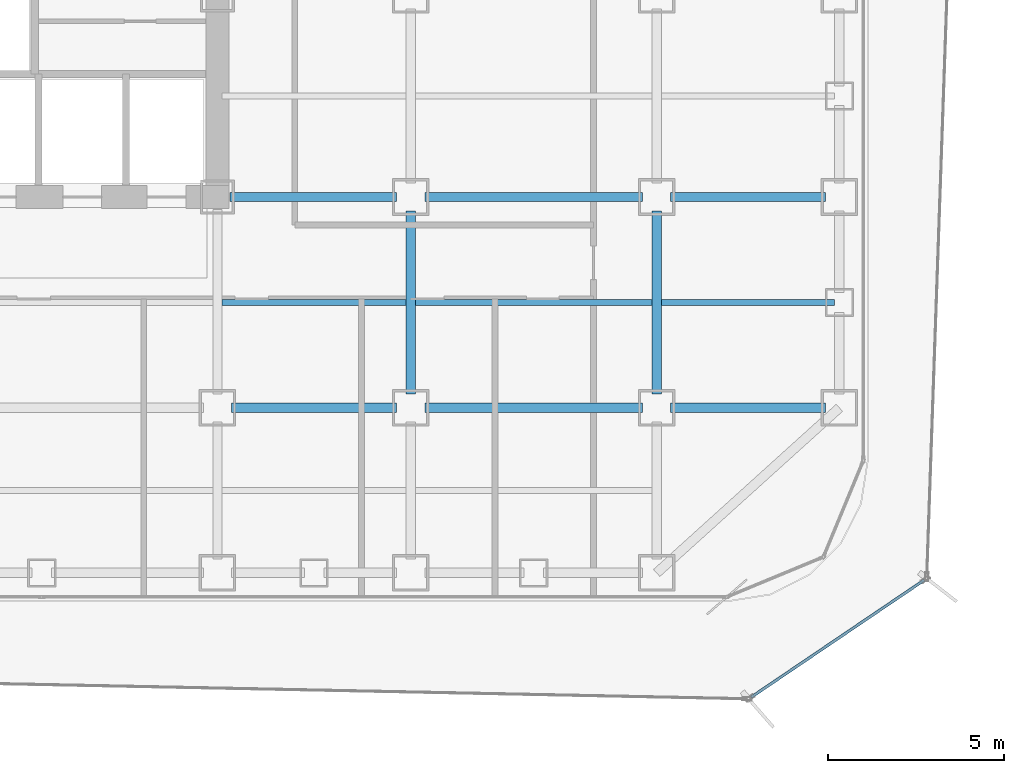
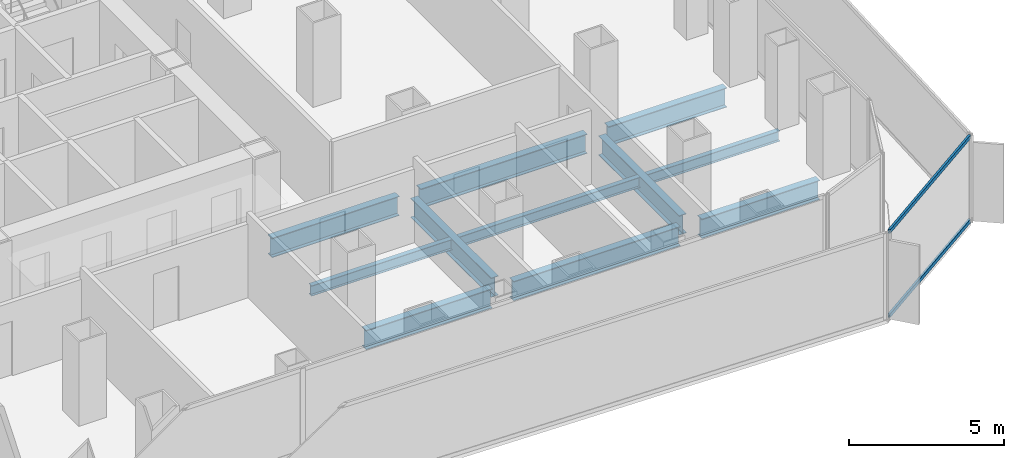
# One storey, part 7 of 22: 11 beams, 2 members, 1 element without a shape of its own.
"""IFC4 building model written with IfcOpenShell, lengths in metres."""

from ifc_helpers import new_model, si_unit, direction, frame, origin, origin_2d, place, context, subcontext, project, spatial, hollow_rectangle, i_section, extrude, source, transform, mapped, material, layer, layer_set, material_profile, profile_set, type_object, element, aggregate, save


model = new_model("IFC4")

# Units and contexts
model_context = context("Model", 3, precision=1e-05, world=origin(), true_north=direction((0.0, 1.0)))
body_context = subcontext(model_context, "Body", "Model", "MODEL_VIEW")
ifc_project = project(units=[si_unit("LENGTHUNIT", "METRE"), si_unit("AREAUNIT", "SQUARE_METRE"), si_unit("VOLUMEUNIT", "CUBIC_METRE"), si_unit("PLANEANGLEUNIT", "RADIAN"), si_unit("MASSUNIT", "GRAM", prefix="KILO")], contexts=[model_context])

# Site, building, storey
site_placement = place(None, origin())
site = spatial("IfcSite", under=ifc_project, at=site_placement, CompositionType="ELEMENT")
building_placement = place(site_placement, origin())
building = spatial("IfcBuilding", under=site, at=building_placement, Name="Kolveth Station Tower", CompositionType="ELEMENT")
storey_placement = place(building_placement, frame((0.0, 0.0, 65.699951171875)))
storey = spatial("IfcBuildingStorey", under=building, at=storey_placement, Name="L17", CompositionType="ELEMENT", Elevation=65.699951171875)

# Beams
ifc_material_1 = material(Name="Steel S355", Category="steel")
ifc_material_profile_1 = material_profile(ifc_material_1, i_section(OverallWidth=0.26708984375, OverallDepth=0.76611328125, WebThickness=0.014892578125, FlangeThickness=0.023681640625, at=origin_2d()), Name="W760x185")
ifc_profile_set_1 = profile_set([ifc_material_profile_1], Name="Steel S355")
beam_type_1 = type_object("IfcBeamType", Name="Beam_B3", PredefinedType="BEAM", material=ifc_profile_set_1)
shared_shape_1 = source(origin(), body_context, "Body", "SweptSolid", [
    extrude(i_section(OverallWidth=0.26708984375, OverallDepth=0.76611328125, WebThickness=0.014892578125, FlangeThickness=0.023681640625, at=origin_2d()), origin(), (0.0, 0.0, 1.0), 4.400146484375),
])
for number, where, z_axis, x_axis, name in (
    (1, (41.39990234375, 5.5, -0.662841796875), (1.0, 0.0, 0.0), (0.0, 1.0, 0.0), "L17 Primary Girder BM-L17-GY55-7"),
    (2, (41.39990234375, 11.5, -0.662841796875), (1.0, 0.0, 0.0), (0.0, 1.0, 0.0), "L17 Primary Girder BM-L17-GY115-7"),
):
    element("IfcBeam", number, at=place(storey_placement, frame(where, z_axis=z_axis, x_axis=x_axis)), inside=storey, type_object=beam_type_1, Name=name, PredefinedType="BEAM", context=body_context, shape_type="MappedRepresentation", body=[
        mapped(shared_shape_1, transform((0.0, 0.0, 0.0), x_axis=(1.0, 0.0, 0.0), y_axis=(0.0, 1.0, 0.0), z_axis=(0.0, 0.0, 1.0), scale=1.0)),
    ])
shared_shape_2 = source(origin(), body_context, "Body", "SweptSolid", [
    extrude(i_section(OverallWidth=0.26708984375, OverallDepth=0.76611328125, WebThickness=0.014892578125, FlangeThickness=0.023681640625, at=origin_2d()), origin(), (0.0, 0.0, 1.0), 6.2001953125),
])
for number, where, z_axis, x_axis, name in (
    (3, (34.39990234375, 5.5, -0.662841796875), (1.0, 0.0, 0.0), (0.0, 1.0, 0.0), "L17 Primary Girder BM-L17-GY55-6"),
    (4, (34.39990234375, 11.5, -0.662841796875), (1.0, 0.0, 0.0), (0.0, 1.0, 0.0), "L17 Primary Girder BM-L17-GY115-6"),
):
    element("IfcBeam", number, at=place(storey_placement, frame(where, z_axis=z_axis, x_axis=x_axis)), inside=storey, type_object=beam_type_1, Name=name, PredefinedType="BEAM", context=body_context, shape_type="MappedRepresentation", body=[
        mapped(shared_shape_2, transform((0.0, 0.0, 0.0), x_axis=(1.0, 0.0, 0.0), y_axis=(0.0, 1.0, 0.0), z_axis=(0.0, 0.0, 1.0), scale=1.0)),
    ])
shared_shape_3 = source(origin(), body_context, "Body", "SweptSolid", [
    extrude(i_section(OverallWidth=0.26708984375, OverallDepth=0.76611328125, WebThickness=0.014892578125, FlangeThickness=0.023681640625, at=origin_2d()), origin(), (0.0, 0.0, 1.0), 4.7001953125),
])
beam_1_placement = place(storey_placement, frame((28.89990234375, 5.5, -0.662841796875), z_axis=(1.0, 0.0, 0.0), x_axis=(0.0, 1.0, 0.0)))
element("IfcBeam", 5, at=beam_1_placement, inside=storey, type_object=beam_type_1, Name="L17 Primary Girder BM-L17-GY55-5", PredefinedType="BEAM", context=body_context, shape_type="MappedRepresentation", body=[
    mapped(shared_shape_3, transform((0.0, 0.0, 0.0), x_axis=(1.0, 0.0, 0.0), y_axis=(0.0, 1.0, 0.0), z_axis=(0.0, 0.0, 1.0), scale=1.0)),
])
shared_shape_4 = source(origin(), body_context, "Body", "SweptSolid", [
    extrude(i_section(OverallWidth=0.26708984375, OverallDepth=0.76611328125, WebThickness=0.014892578125, FlangeThickness=0.023681640625, at=origin_2d()), origin(), (0.0, 0.0, 1.0), 4.739990234375),
])
beam_2_placement = place(storey_placement, frame((28.860107421875, 11.5, -0.662841796875), z_axis=(1.0, 0.0, 0.0), x_axis=(0.0, 1.0, 0.0)))
element("IfcBeam", 6, at=beam_2_placement, inside=storey, type_object=beam_type_1, Name="L17 Primary Girder BM-L17-GY115-5", PredefinedType="BEAM", context=body_context, shape_type="MappedRepresentation", body=[
    mapped(shared_shape_4, transform((0.0, 0.0, 0.0), x_axis=(1.0, 0.0, 0.0), y_axis=(0.0, 1.0, 0.0), z_axis=(0.0, 0.0, 1.0), scale=1.0)),
])
shared_shape_5 = source(origin(), body_context, "Body", "SweptSolid", [
    extrude(i_section(OverallWidth=0.26708984375, OverallDepth=0.76611328125, WebThickness=0.014892578125, FlangeThickness=0.023681640625, at=origin_2d()), origin(), (0.0, 0.0, 1.0), 5.2001953125),
])
for number, where, z_axis, x_axis, name in (
    (7, (34.0, 5.89990234375, -0.662841796875), (0.0, 1.0, 0.0), (-1.0, 0.0, 0.0), "L17 Primary Girder BM-L17-GX340-2"),
    (8, (41.0, 5.89990234375, -0.662841796875), (0.0, 1.0, 0.0), (-1.0, 0.0, 0.0), "L17 Primary Girder BM-L17-GX410-2"),
):
    element("IfcBeam", number, at=place(storey_placement, frame(where, z_axis=z_axis, x_axis=x_axis)), inside=storey, type_object=beam_type_1, Name=name, PredefinedType="BEAM", context=body_context, shape_type="MappedRepresentation", body=[
        mapped(shared_shape_5, transform((0.0, 0.0, 0.0), x_axis=(1.0, 0.0, 0.0), y_axis=(0.0, 1.0, 0.0), z_axis=(0.0, 0.0, 1.0), scale=1.0)),
    ])
ifc_material_profile_2 = material_profile(ifc_material_1, i_section(OverallWidth=0.177978515625, OverallDepth=0.406982421875, WebThickness=0.0078125, FlangeThickness=0.0126953125, at=origin_2d()), Name="W410x60")
ifc_profile_set_2 = profile_set([ifc_material_profile_2], Name="Steel S355")
beam_type_2 = type_object("IfcBeamType", Name="Beam_J1", PredefinedType="JOIST", material=ifc_profile_set_2)
shared_shape_6 = source(origin(), body_context, "Body", "SweptSolid", [
    extrude(i_section(OverallWidth=0.177978515625, OverallDepth=0.406982421875, WebThickness=0.0078125, FlangeThickness=0.0126953125, at=origin_2d()), origin(), (0.0, 0.0, 1.0), 4.935791015625),
])
beam_3_placement = place(storey_placement, frame((41.131591796875, 8.5, -0.4833984375), z_axis=(1.0, 0.0, 0.0), x_axis=(0.0, 1.0, 0.0)))
element("IfcBeam", 9, at=beam_3_placement, inside=storey, type_object=beam_type_2, Name="L17 Secondary Joist JST-L17-7-2", PredefinedType="JOIST", context=body_context, shape_type="MappedRepresentation", body=[
    mapped(shared_shape_6, transform((0.0, 0.0, 0.0), x_axis=(1.0, 0.0, 0.0), y_axis=(0.0, 1.0, 0.0), z_axis=(0.0, 0.0, 1.0), scale=1.0)),
])
shared_shape_7 = source(origin(), body_context, "Body", "SweptSolid", [
    extrude(i_section(OverallWidth=0.177978515625, OverallDepth=0.406982421875, WebThickness=0.0078125, FlangeThickness=0.0126953125, at=origin_2d()), origin(), (0.0, 0.0, 1.0), 6.73681640625),
])
beam_4_placement = place(storey_placement, frame((34.131591796875, 8.5, -0.4833984375), z_axis=(1.0, 0.0, 0.0), x_axis=(0.0, 1.0, 0.0)))
element("IfcBeam", 10, at=beam_4_placement, inside=storey, type_object=beam_type_2, Name="L17 Secondary Joist JST-L17-6-2", PredefinedType="JOIST", context=body_context, shape_type="MappedRepresentation", body=[
    mapped(shared_shape_7, transform((0.0, 0.0, 0.0), x_axis=(1.0, 0.0, 0.0), y_axis=(0.0, 1.0, 0.0), z_axis=(0.0, 0.0, 1.0), scale=1.0)),
])
shared_shape_8 = source(origin(), body_context, "Body", "SweptSolid", [
    extrude(i_section(OverallWidth=0.177978515625, OverallDepth=0.406982421875, WebThickness=0.0078125, FlangeThickness=0.0126953125, at=origin_2d()), origin(), (0.0, 0.0, 1.0), 5.23681640625),
])
beam_5_placement = place(storey_placement, frame((28.631591796875, 8.5, -0.4833984375), z_axis=(1.0, 0.0, 0.0), x_axis=(0.0, 1.0, 0.0)))
element("IfcBeam", 11, at=beam_5_placement, inside=storey, type_object=beam_type_2, Name="L17 Secondary Joist JST-L17-5-2", PredefinedType="JOIST", context=body_context, shape_type="MappedRepresentation", body=[
    mapped(shared_shape_8, transform((0.0, 0.0, 0.0), x_axis=(1.0, 0.0, 0.0), y_axis=(0.0, 1.0, 0.0), z_axis=(0.0, 0.0, 1.0), scale=1.0)),
])

# Curtain wall, members
ifc_material_2 = material(Name="Black anodized aluminium 6063-T6 and dark solar glass", Category="aluminium")
ifc_layer = layer(ifc_material_2, 0.159912109375)
ifc_layer_set = layer_set([ifc_layer], Name="Black anodized aluminium 6063-T6 and dark solar glass")
curtain_wall_type = type_object("IfcCurtainWallType", Name="OUTER SKIN CW-OS", PredefinedType="NOTDEFINED", material=ifc_layer_set)
curtain_wall_placement = place(storey_placement, origin())
curtain_wall = element("IfcCurtainWall", 12, at=curtain_wall_placement, inside=storey, type_object=curtain_wall_type, Name="L17 Outer Ventilated Skin Curtain Wall 1", PredefinedType="NOTDEFINED")
ifc_material_3 = material(Name="Black anodized aluminium 6063-T6", Category="aluminium")
ifc_material_profile_3 = material_profile(ifc_material_3, hollow_rectangle(XDim=0.080078125, YDim=0.14990234375, WallThickness=0.0048828125, at=origin_2d()), Name="ALU-80x150x5")
ifc_profile_set_3 = profile_set([ifc_material_profile_3], Name="Black anodized aluminium 6063-T6")
member_type = type_object("IfcMemberType", Name="Transom_TR-OS", PredefinedType="USERDEFINED", material=ifc_profile_set_3)
shared_shape_9 = source(origin(), body_context, "Body", "SweptSolid", [
    extrude(hollow_rectangle(XDim=0.080078125, YDim=0.14990234375, WallThickness=0.0048828125, at=origin_2d()), origin(), (0.0, 0.0, 1.0), 5.940185546875),
])
member_1_placement = place(storey_placement, frame((43.692626953125, -2.73388671875, 0.0400390625), z_axis=(0.828217768478, 0.560406395375, 0.0), x_axis=(-0.560406395375, 0.828217768478, 0.0)))
member_1 = element("IfcMember", 13, at=member_1_placement, type_object=member_type, Name="CW-OS transom 1.1", ObjectType="TRANSOM", PredefinedType="USERDEFINED", context=body_context, shape_type="MappedRepresentation", body=[
    mapped(shared_shape_9, transform((0.0, 0.0, 0.0), x_axis=(1.0, 0.0, 0.0), y_axis=(0.0, 1.0, 0.0), z_axis=(0.0, 0.0, 1.0), scale=1.0)),
])
member_2_placement = place(storey_placement, frame((43.692626953125, -2.73388671875, 3.35009765625), z_axis=(0.828217768478, 0.560406395375, 0.0), x_axis=(-0.560406395375, 0.828217768478, 0.0)))
member_2 = element("IfcMember", 14, at=member_2_placement, type_object=member_type, Name="CW-OS transom 1.2", ObjectType="TRANSOM", PredefinedType="USERDEFINED", context=body_context, shape_type="MappedRepresentation", body=[
    mapped(shared_shape_9, transform((0.0, 0.0, 0.0), x_axis=(1.0, 0.0, 0.0), y_axis=(0.0, 1.0, 0.0), z_axis=(0.0, 0.0, 1.0), scale=1.0)),
])
aggregate(curtain_wall, [member_1, member_2])

save(model, "model.ifc")
